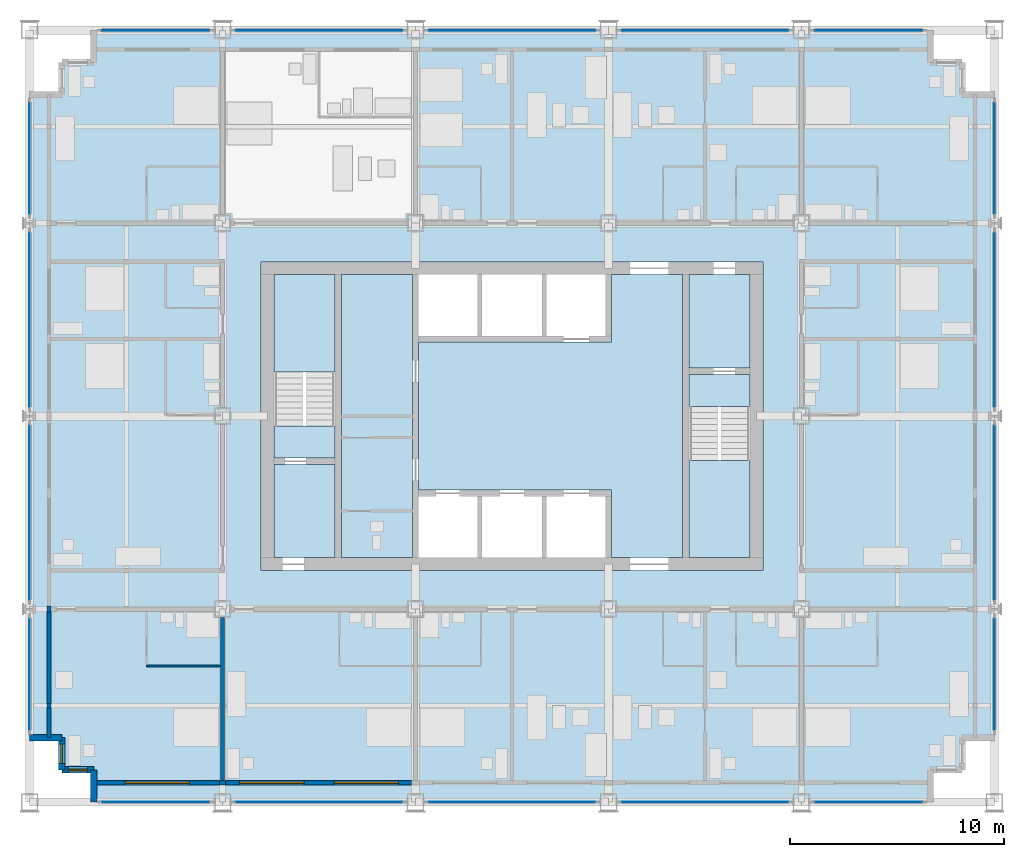
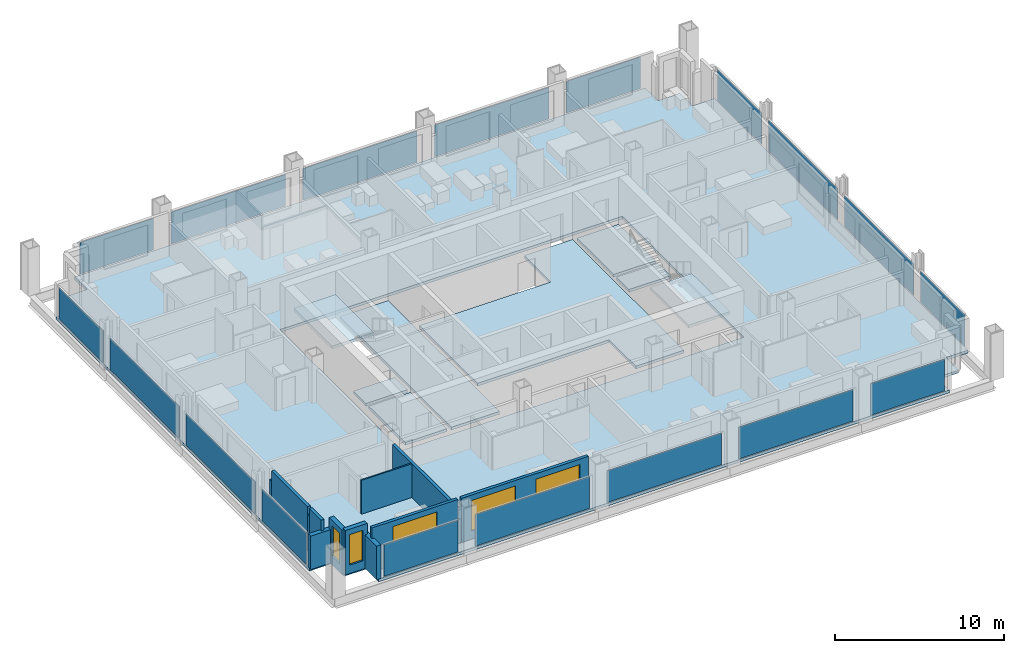
# One storey, part 8 of 16: 18 plates, 13 walls, 9 slabs, 5 windows, 5 openings, 20 elements without a shape of their own.
"""IFC4 building model written with IfcOpenShell, lengths in metres."""

import ifcopenshell
import ifcopenshell.guid

model = None  # the IFC model being written
_history = None  # IfcOwnerHistory: only IFC2X3 demands one
_inside = {}  # id of a spatial element -> (the spatial element, [elements in it])
_under = {}  # id of a project, library or spatial element -> (it, [spatial elements below it])
_declared = {}  # id of a project -> (the project, [libraries it declares])
_typed = {}  # id of a type object -> (the type object, [elements of that type])
_made_of = {}  # id of a material, layer set ... -> (it, [elements and type objects made of it])


def new_model(schema):
    """Start an empty IFC model of exactly this schema.

    Asked for "IFC4X3", IfcOpenShell would pick the latest addendum, in which some entities
    have other attributes; the version numbers below select the first issue.
    IFC2X3 requires an IfcOwnerHistory on every rooted entity: one is made here for all.
    """
    global model, _history
    if schema == "IFC4X3":
        model = ifcopenshell.file(schema_version=(4, 3, 0, 0))
    else:
        model = ifcopenshell.file(schema=schema)
    _inside.clear()
    _under.clear()
    _declared.clear()
    _typed.clear()
    _made_of.clear()
    _history = None
    if model.schema == "IFC2X3":
        org = make("IfcOrganization", Name="unknown")
        user = make(
            "IfcPersonAndOrganization",
            ThePerson=make("IfcPerson", FamilyName="unknown"),
            TheOrganization=org,
        )
        app = make(
            "IfcApplication",
            ApplicationDeveloper=org,
            Version="unknown",
            ApplicationFullName="unknown",
            ApplicationIdentifier="unknown",
        )
        _history = make(
            "IfcOwnerHistory",
            OwningUser=user,
            OwningApplication=app,
            ChangeAction="ADDED",
            CreationDate=0,
        )
    return model


def make(cls, **values):
    """One entity of the class cls with the attributes given. An attribute that is None is left unset."""
    return model.create_entity(
        cls, **{name: value for name, value in values.items() if value is not None}
    )


def rooted(cls, **values):
    """An entity with a GlobalId (a new one), such as an element, a storey or a relation."""
    return make(cls, GlobalId=ifcopenshell.guid.new(), OwnerHistory=_history, **values)


def si_unit(unit_type, name, prefix=None):
    """IfcSIUnit, for example si_unit("LENGTHUNIT", "METRE", prefix="MILLI")."""
    return make("IfcSIUnit", UnitType=unit_type, Prefix=prefix, Name=name)


def assignment(units):
    """IfcUnitAssignment: the units of a project."""
    return None if units is None else make("IfcUnitAssignment", Units=units)


def point(xyz):
    """IfcCartesianPoint."""
    return None if xyz is None else make("IfcCartesianPoint", Coordinates=xyz)


def direction(xyz):
    """IfcDirection."""
    return None if xyz is None else make("IfcDirection", DirectionRatios=xyz)


def frame(location, z_axis=None, x_axis=None):
    """IfcAxis2Placement3D, a coordinate frame: its origin and axes. An axis left out is left unset."""
    return make(
        "IfcAxis2Placement3D",
        Location=point(location),
        Axis=direction(z_axis),
        RefDirection=direction(x_axis),
    )


def frame_2d(location, x_axis=None):
    """IfcAxis2Placement2D, a coordinate frame in the plane: its origin and x axis."""
    return make(
        "IfcAxis2Placement2D", Location=point(location), RefDirection=direction(x_axis)
    )


def origin():
    """The frame at (0, 0, 0) with its axes left unset."""
    return frame((0.0, 0.0, 0.0))


def origin_2d():
    """The frame at (0, 0) in the plane with its x axis left unset."""
    return frame_2d((0.0, 0.0))


def place(relative_to, where):
    """IfcLocalPlacement: puts the frame where relative to a parent placement (None: the world)."""
    return make(
        "IfcLocalPlacement", PlacementRelTo=relative_to, RelativePlacement=where
    )


def context(
    kind, dimensions, precision=None, world=None, true_north=None, identifier=None
):
    """IfcGeometricRepresentationContext, for example the 3D "Model" context."""
    return make(
        "IfcGeometricRepresentationContext",
        ContextIdentifier=identifier,
        ContextType=kind,
        CoordinateSpaceDimension=dimensions,
        Precision=precision,
        WorldCoordinateSystem=world,
        TrueNorth=true_north,
    )


def subcontext(parent, identifier, kind, view, scale=None):
    """IfcGeometricRepresentationSubContext, for example "Body" below "Model"."""
    return make(
        "IfcGeometricRepresentationSubContext",
        ContextIdentifier=identifier,
        ContextType=kind,
        ParentContext=parent,
        TargetScale=scale,
        TargetView=view,
    )


def project(units=None, contexts=None):
    """IfcProject with its units and contexts."""
    return rooted(
        "IfcProject",
        Name="project",
        RepresentationContexts=contexts,
        UnitsInContext=assignment(units),
    )


def spatial(cls, under=None, at=None, **own):
    """A site, building, storey or space (cls), placed at a placement, below another one or the project."""
    s = rooted(cls, ObjectPlacement=at, **own)
    if under is not None:
        _under.setdefault(under.id(), (under, []))[1].append(s)
    return s


def polyline(points):
    """IfcPolyline through the points."""
    return make("IfcPolyline", Points=[point(p) for p in points])


def profile(cls, at=None, kind="AREA", **sizes):
    """A parametric profile (cls). Its sizes go by their IFC names, for example OverallWidth=200.0."""
    return make(cls, ProfileType=kind, Position=at, **sizes)


def rectangle(**sizes):
    """IfcRectangleProfileDef."""
    return profile("IfcRectangleProfileDef", **sizes)


def outline(outer, holes=None, kind="AREA"):
    """IfcArbitraryClosedProfileDef: a profile drawn as a closed curve; with holes, ...WithVoids."""
    if holes is None:
        return make("IfcArbitraryClosedProfileDef", ProfileType=kind, OuterCurve=outer)
    return make(
        "IfcArbitraryProfileDefWithVoids",
        ProfileType=kind,
        OuterCurve=outer,
        InnerCurves=holes,
    )


def extrude(swept, where, along, depth):
    """IfcExtrudedAreaSolid: the profile swept, set in the frame where, extruded along a direction by depth."""
    return make(
        "IfcExtrudedAreaSolid",
        SweptArea=swept,
        Position=where,
        ExtrudedDirection=direction(along),
        Depth=depth,
    )


def shape(context_of_items, identifier, shape_type, items):
    """IfcShapeRepresentation: the items that make up one representation, for example the "Body"."""
    return make(
        "IfcShapeRepresentation",
        ContextOfItems=context_of_items,
        RepresentationIdentifier=identifier,
        RepresentationType=shape_type,
        Items=items,
    )


def material(Name=None, Category=None):
    """IfcMaterial."""
    return make("IfcMaterial", Name=Name, Category=Category)


def layer(
    of_material, thickness, ventilated=None, Name=None, Category=None, Priority=None
):
    """IfcMaterialLayer: one layer of a wall or slab, of a material (None: an air gap)."""
    return make(
        "IfcMaterialLayer",
        Material=of_material,
        LayerThickness=thickness,
        IsVentilated=ventilated,
        Name=Name,
        Category=Category,
        Priority=Priority,
    )


def layer_set(layers, Name=None):
    """IfcMaterialLayerSet."""
    return make("IfcMaterialLayerSet", MaterialLayers=layers, LayerSetName=Name)


def made_of(thing, what):
    """Note that an element or type object is made of a material, layer set ...; save() writes the relation."""
    if what is not None:
        _made_of.setdefault(what.id(), (what, []))[1].append(thing)
    return thing


def type_object(cls, material=None, **own):
    """A type object (cls), such as IfcWallType, which elements share."""
    return made_of(rooted(cls, **own), material)


def element(
    cls,
    number,
    at=None,
    inside=None,
    cuts=None,
    type_object=None,
    material=None,
    context=None,
    identifier="Body",
    shape_type=None,
    held_by="IfcProductDefinitionShape",
    body=None,
    shapes=None,
    **own,
):
    """One element of the class cls, such as IfcWall. Its Tag is "e" and its number.

    at: its placement. inside: the storey or other place that contains it. cuts: it is an
    opening in that element (IfcRelVoidsElement). A single representation is given by context,
    identifier, shape_type and body (its items); several are given by shapes. held_by: the class
    of the entity that holds the representations. save() writes the other relations.
    """
    e = rooted(cls, Tag="e%d" % number, ObjectPlacement=at, **own)
    if body is not None:
        shapes = [shape(context, identifier, shape_type, body)]
    if shapes is not None:
        e.Representation = make(held_by, Representations=shapes)
    if inside is not None:
        _inside.setdefault(inside.id(), (inside, []))[1].append(e)
    if cuts is not None:
        rooted(
            "IfcRelVoidsElement", RelatingBuildingElement=cuts, RelatedOpeningElement=e
        )
    if type_object is not None:
        _typed.setdefault(type_object.id(), (type_object, []))[1].append(e)
    return made_of(e, material)


def fill(opening, filler):
    """IfcRelFillsElement: the door or window that sits in an opening."""
    return rooted(
        "IfcRelFillsElement",
        RelatingOpeningElement=opening,
        RelatedBuildingElement=filler,
    )


def aggregate(whole, parts):
    """IfcRelAggregates: a whole, such as a stair, and the parts it consists of."""
    return rooted("IfcRelAggregates", RelatingObject=whole, RelatedObjects=parts)


def save(model, path):
    """Write the relations noted so far, then the file.

    IfcRelAggregates (storeys below a building ...), IfcRelContainedInSpatialStructure (elements
    in a storey), IfcRelDefinesByType, IfcRelAssociatesMaterial and IfcRelDeclares: one each for
    every whole, place, type object, material and project.
    """
    for whole, parts in _under.values():
        aggregate(whole, parts)
    for where, things in _inside.values():
        rooted(
            "IfcRelContainedInSpatialStructure",
            RelatedElements=things,
            RelatingStructure=where,
        )
    for kind, things in _typed.values():
        rooted("IfcRelDefinesByType", RelatedObjects=things, RelatingType=kind)
    for what, things in _made_of.values():
        rooted("IfcRelAssociatesMaterial", RelatedObjects=things, RelatingMaterial=what)
    for by, libraries in _declared.values():
        rooted("IfcRelDeclares", RelatingContext=by, RelatedDefinitions=libraries)
    model.write(path)


model = new_model("IFC4")

# Units and contexts
model_context = context("Model", 3, precision=1e-05, world=origin(), true_north=direction((0.0, 1.0)))
body_context = subcontext(model_context, "Body", "Model", "MODEL_VIEW")
ifc_project = project(units=[si_unit("LENGTHUNIT", "METRE"), si_unit("AREAUNIT", "SQUARE_METRE"), si_unit("VOLUMEUNIT", "CUBIC_METRE"), si_unit("PLANEANGLEUNIT", "RADIAN"), si_unit("MASSUNIT", "GRAM", prefix="KILO")], contexts=[model_context])

# Site, building, storey
site_placement = place(None, origin())
site = spatial("IfcSite", under=ifc_project, at=site_placement, CompositionType="ELEMENT")
building_placement = place(site_placement, origin())
building = spatial("IfcBuilding", under=site, at=building_placement, Name="Loomwork Tower", CompositionType="ELEMENT")
storey_placement = place(building_placement, frame((0.0, 0.0, 148.60009765625)))
storey = spatial("IfcBuildingStorey", under=building, at=storey_placement, Name="L40", CompositionType="ELEMENT", Elevation=148.60009765625)

# Slabs
ifc_material_1 = material(Name="Concrete 5000 psi (34 MPa) on composite metal deck", Category="concrete")
ifc_layer_1 = layer(ifc_material_1, 0.199951171875)
ifc_layer_set_1 = layer_set([ifc_layer_1], Name="Floor slab 200")
slab_type_1 = type_object("IfcSlabType", Name="Floor slab 200", PredefinedType="FLOOR", material=ifc_layer_set_1)
slab_1_placement = place(storey_placement, frame((0.0, 0.0, -0.2001953125)))
element("IfcSlab", 1, at=slab_1_placement, inside=storey, type_object=slab_type_1, Name="Floor slab L40", PredefinedType="FLOOR", context=body_context, shape_type="SweptSolid", body=[
    extrude(outline(polyline([(3.0, 1.5), (1.5, 1.5), (1.5, 3.0), (0.0, 3.0), (0.0, 33.0), (1.5, 33.0), (1.5, 34.5), (3.0, 34.5), (3.0, 36.0), (42.0, 36.0), (42.0, 34.5), (43.5, 34.5), (43.5, 33.0), (45.0, 33.0), (45.0, 3.0), (43.5, 3.0), (43.5, 1.5), (42.0, 1.5), (42.0, 0.0), (3.0, 0.0), (3.0, 1.5)]), holes=[polyline([(10.800048828125, 11.39990234375), (10.800048828125, 11.39990234375), (10.800048828125, 10.800048828125), (34.199951171875, 10.800048828125), (34.199951171875, 11.39990234375), (34.199951171875, 11.39990234375), (34.199951171875, 24.60009765625), (34.199951171875, 25.199951171875), (10.800048828125, 25.199951171875), (10.800048828125, 24.60009765625), (10.800048828125, 11.39990234375)])]), origin(), (0.0, 0.0, 1.0), 0.2001953125),
])
slab_2_placement = place(storey_placement, frame((0.0, 0.0, -0.2001953125)))
element("IfcSlab", 2, at=slab_2_placement, inside=storey, type_object=slab_type_1, Name="Floor slab L40", PredefinedType="FLOOR", context=body_context, shape_type="SweptSolid", body=[
    extrude(outline(polyline([(30.449951171875, 24.60009765625), (30.449951171875, 11.39990234375), (27.14990234375, 11.39990234375), (27.14990234375, 14.25), (27.14990234375, 14.550048828125), (18.14990234375, 14.550048828125), (18.14990234375, 21.449951171875), (27.14990234375, 21.449951171875), (27.14990234375, 21.75), (27.14990234375, 24.60009765625), (30.449951171875, 24.60009765625)])), origin(), (0.0, 0.0, 1.0), 0.2001953125),
])
slab_3_placement = place(storey_placement, frame((0.0, 0.0, -0.2001953125)))
element("IfcSlab", 3, at=slab_3_placement, inside=storey, type_object=slab_type_1, Name="Floor slab L40", PredefinedType="FLOOR", context=body_context, shape_type="SweptSolid", body=[
    extrude(outline(polyline([(14.550048828125, 11.39990234375), (14.550048828125, 24.60009765625), (17.85009765625, 24.60009765625), (17.85009765625, 11.39990234375), (14.550048828125, 11.39990234375)])), origin(), (0.0, 0.0, 1.0), 0.2001953125),
])
slab_4_placement = place(storey_placement, frame((0.0, 0.0, -0.2001953125)))
element("IfcSlab", 4, at=slab_4_placement, inside=storey, type_object=slab_type_1, Name="Floor slab L40", PredefinedType="FLOOR", context=body_context, shape_type="SweptSolid", body=[
    extrude(outline(polyline([(33.60009765625, 20.25), (30.75, 20.25), (30.75, 24.60009765625), (33.60009765625, 24.60009765625), (33.60009765625, 20.25)])), origin(), (0.0, 0.0, 1.0), 0.2001953125),
])
slab_5_placement = place(storey_placement, frame((0.0, 0.0, -0.2001953125)))
element("IfcSlab", 5, at=slab_5_placement, inside=storey, type_object=slab_type_1, Name="Floor slab L40", PredefinedType="FLOOR", context=body_context, shape_type="SweptSolid", body=[
    extrude(outline(polyline([(14.25, 15.75), (14.25, 11.39990234375), (11.39990234375, 11.39990234375), (11.39990234375, 15.75), (14.25, 15.75)])), origin(), (0.0, 0.0, 1.0), 0.2001953125),
])

# Curtain wall, plate
ifc_material_2 = material(Name="Aluminium curtain wall frame", Category="aluminium")
curtain_wall_type = type_object("IfcCurtainWallType", Name="Outer skin glazing hotel", PredefinedType="NOTDEFINED", material=ifc_material_2)
curtain_wall_1_placement = place(storey_placement, origin())
curtain_wall_1 = element("IfcCurtainWall", 6, at=curtain_wall_1_placement, inside=storey, type_object=curtain_wall_type, Name="Outer skin glazing hotel cw/S-0", PredefinedType="NOTDEFINED")
ifc_material_3 = material(Name="Clear laminated glass", Category="glass")
ifc_layer_2 = layer(ifc_material_3, 0.02392578125)
ifc_layer_set_2 = layer_set([ifc_layer_2], Name="Outer skin glazing hotel panel")
plate_type = type_object("IfcPlateType", Name="Outer skin glazing hotel panel", PredefinedType="CURTAIN_PANEL", material=ifc_layer_set_2)
plate_1_placement = place(storey_placement, frame((5.875, 0.0, 0.06494140625), z_axis=(0.0, 0.0, 1.0), x_axis=(1.0, 0.0, 0.0)))
plate_1 = element("IfcPlate", 7, at=plate_1_placement, type_object=plate_type, Name="CW1 panel 1.1", PredefinedType="CURTAIN_PANEL", context=body_context, shape_type="SweptSolid", body=[
    extrude(rectangle(XDim=5.050048828125, YDim=0.02392578125, at=origin_2d()), origin(), (0.0, 0.0, 1.0), 2.290283203125),
])
aggregate(curtain_wall_1, [plate_1])

curtain_wall_2_placement = place(storey_placement, origin())
curtain_wall_2 = element("IfcCurtainWall", 8, at=curtain_wall_2_placement, inside=storey, type_object=curtain_wall_type, Name="Outer skin glazing hotel cw/S-9", PredefinedType="NOTDEFINED")
plate_2_placement = place(storey_placement, frame((13.5, 0.0, 0.06494140625), z_axis=(0.0, 0.0, 1.0), x_axis=(1.0, 0.0, 0.0)))
plate_2 = element("IfcPlate", 9, at=plate_2_placement, type_object=plate_type, Name="CW1 panel 1.1", PredefinedType="CURTAIN_PANEL", context=body_context, shape_type="SweptSolid", body=[
    extrude(rectangle(XDim=7.800048828125, YDim=0.02392578125, at=origin_2d()), origin(), (0.0, 0.0, 1.0), 2.290283203125),
])
aggregate(curtain_wall_2, [plate_2])

curtain_wall_3_placement = place(storey_placement, origin())
curtain_wall_3 = element("IfcCurtainWall", 10, at=curtain_wall_3_placement, inside=storey, type_object=curtain_wall_type, Name="Outer skin glazing hotel cw/S-18", PredefinedType="NOTDEFINED")
plate_3_placement = place(storey_placement, frame((22.5, 0.0, 0.06494140625), z_axis=(0.0, 0.0, 1.0), x_axis=(1.0, 0.0, 0.0)))
plate_3 = element("IfcPlate", 11, at=plate_3_placement, type_object=plate_type, Name="CW1 panel 1.1", PredefinedType="CURTAIN_PANEL", context=body_context, shape_type="SweptSolid", body=[
    extrude(rectangle(XDim=7.800048828125, YDim=0.02392578125, at=origin_2d()), origin(), (0.0, 0.0, 1.0), 2.290283203125),
])
aggregate(curtain_wall_3, [plate_3])

curtain_wall_4_placement = place(storey_placement, origin())
curtain_wall_4 = element("IfcCurtainWall", 12, at=curtain_wall_4_placement, inside=storey, type_object=curtain_wall_type, Name="Outer skin glazing hotel cw/S-27", PredefinedType="NOTDEFINED")
plate_4_placement = place(storey_placement, frame((31.5, 0.0, 0.06494140625), z_axis=(0.0, 0.0, 1.0), x_axis=(1.0, 0.0, 0.0)))
plate_4 = element("IfcPlate", 13, at=plate_4_placement, type_object=plate_type, Name="CW1 panel 1.1", PredefinedType="CURTAIN_PANEL", context=body_context, shape_type="SweptSolid", body=[
    extrude(rectangle(XDim=7.800048828125, YDim=0.02392578125, at=origin_2d()), origin(), (0.0, 0.0, 1.0), 2.290283203125),
])
aggregate(curtain_wall_4, [plate_4])

curtain_wall_5_placement = place(storey_placement, origin())
curtain_wall_5 = element("IfcCurtainWall", 14, at=curtain_wall_5_placement, inside=storey, type_object=curtain_wall_type, Name="Outer skin glazing hotel cw/S-36", PredefinedType="NOTDEFINED")
plate_5_placement = place(storey_placement, frame((39.125, 0.0, 0.06494140625), z_axis=(0.0, 0.0, 1.0), x_axis=(1.0, 0.0, 0.0)))
plate_5 = element("IfcPlate", 15, at=plate_5_placement, type_object=plate_type, Name="CW1 panel 1.1", PredefinedType="CURTAIN_PANEL", context=body_context, shape_type="SweptSolid", body=[
    extrude(rectangle(XDim=5.050048828125, YDim=0.02392578125, at=origin_2d()), origin(), (0.0, 0.0, 1.0), 2.290283203125),
])
aggregate(curtain_wall_5, [plate_5])

curtain_wall_6_placement = place(storey_placement, origin())
curtain_wall_6 = element("IfcCurtainWall", 16, at=curtain_wall_6_placement, inside=storey, type_object=curtain_wall_type, Name="Outer skin glazing hotel cw/N-0", PredefinedType="NOTDEFINED")
plate_6_placement = place(storey_placement, frame((5.875, 36.0, 0.06494140625), z_axis=(0.0, 0.0, 1.0), x_axis=(-1.0, 0.0, 0.0)))
plate_6 = element("IfcPlate", 17, at=plate_6_placement, type_object=plate_type, Name="CW1 panel 1.1", PredefinedType="CURTAIN_PANEL", context=body_context, shape_type="SweptSolid", body=[
    extrude(rectangle(XDim=5.050048828125, YDim=0.02392578125, at=origin_2d()), origin(), (0.0, 0.0, 1.0), 2.290283203125),
])
aggregate(curtain_wall_6, [plate_6])

curtain_wall_7_placement = place(storey_placement, origin())
curtain_wall_7 = element("IfcCurtainWall", 18, at=curtain_wall_7_placement, inside=storey, type_object=curtain_wall_type, Name="Outer skin glazing hotel cw/N-9", PredefinedType="NOTDEFINED")
plate_7_placement = place(storey_placement, frame((13.5, 36.0, 0.06494140625), z_axis=(0.0, 0.0, 1.0), x_axis=(-1.0, 0.0, 0.0)))
plate_7 = element("IfcPlate", 19, at=plate_7_placement, type_object=plate_type, Name="CW1 panel 1.1", PredefinedType="CURTAIN_PANEL", context=body_context, shape_type="SweptSolid", body=[
    extrude(rectangle(XDim=7.800048828125, YDim=0.02392578125, at=origin_2d()), origin(), (0.0, 0.0, 1.0), 2.290283203125),
])
aggregate(curtain_wall_7, [plate_7])

curtain_wall_8_placement = place(storey_placement, origin())
curtain_wall_8 = element("IfcCurtainWall", 20, at=curtain_wall_8_placement, inside=storey, type_object=curtain_wall_type, Name="Outer skin glazing hotel cw/N-18", PredefinedType="NOTDEFINED")
plate_8_placement = place(storey_placement, frame((22.5, 36.0, 0.06494140625), z_axis=(0.0, 0.0, 1.0), x_axis=(-1.0, 0.0, 0.0)))
plate_8 = element("IfcPlate", 21, at=plate_8_placement, type_object=plate_type, Name="CW1 panel 1.1", PredefinedType="CURTAIN_PANEL", context=body_context, shape_type="SweptSolid", body=[
    extrude(rectangle(XDim=7.800048828125, YDim=0.02392578125, at=origin_2d()), origin(), (0.0, 0.0, 1.0), 2.290283203125),
])
aggregate(curtain_wall_8, [plate_8])

curtain_wall_9_placement = place(storey_placement, origin())
curtain_wall_9 = element("IfcCurtainWall", 22, at=curtain_wall_9_placement, inside=storey, type_object=curtain_wall_type, Name="Outer skin glazing hotel cw/N-27", PredefinedType="NOTDEFINED")
plate_9_placement = place(storey_placement, frame((31.5, 36.0, 0.06494140625), z_axis=(0.0, 0.0, 1.0), x_axis=(-1.0, 0.0, 0.0)))
plate_9 = element("IfcPlate", 23, at=plate_9_placement, type_object=plate_type, Name="CW1 panel 1.1", PredefinedType="CURTAIN_PANEL", context=body_context, shape_type="SweptSolid", body=[
    extrude(rectangle(XDim=7.800048828125, YDim=0.02392578125, at=origin_2d()), origin(), (0.0, 0.0, 1.0), 2.290283203125),
])
aggregate(curtain_wall_9, [plate_9])

curtain_wall_10_placement = place(storey_placement, origin())
curtain_wall_10 = element("IfcCurtainWall", 24, at=curtain_wall_10_placement, inside=storey, type_object=curtain_wall_type, Name="Outer skin glazing hotel cw/N-36", PredefinedType="NOTDEFINED")
plate_10_placement = place(storey_placement, frame((39.125, 36.0, 0.06494140625), z_axis=(0.0, 0.0, 1.0), x_axis=(-1.0, 0.0, 0.0)))
plate_10 = element("IfcPlate", 25, at=plate_10_placement, type_object=plate_type, Name="CW1 panel 1.1", PredefinedType="CURTAIN_PANEL", context=body_context, shape_type="SweptSolid", body=[
    extrude(rectangle(XDim=5.050048828125, YDim=0.02392578125, at=origin_2d()), origin(), (0.0, 0.0, 1.0), 2.290283203125),
])
aggregate(curtain_wall_10, [plate_10])

curtain_wall_11_placement = place(storey_placement, origin())
curtain_wall_11 = element("IfcCurtainWall", 26, at=curtain_wall_11_placement, inside=storey, type_object=curtain_wall_type, Name="Outer skin glazing hotel cw/W-0", PredefinedType="NOTDEFINED")
plate_11_placement = place(storey_placement, frame((0.0, 5.964599609375, 0.06494140625), z_axis=(0.0, 0.0, 1.0), x_axis=(0.0, -1.0, 0.0)))
plate_11 = element("IfcPlate", 27, at=plate_11_placement, type_object=plate_type, Name="CW1 panel 1.1", PredefinedType="CURTAIN_PANEL", context=body_context, shape_type="SweptSolid", body=[
    extrude(rectangle(XDim=5.22900390625, YDim=0.02392578125, at=origin_2d()), origin(), (0.0, 0.0, 1.0), 2.290283203125),
])
aggregate(curtain_wall_11, [plate_11])

curtain_wall_12_placement = place(storey_placement, origin())
curtain_wall_12 = element("IfcCurtainWall", 28, at=curtain_wall_12_placement, inside=storey, type_object=curtain_wall_type, Name="Outer skin glazing hotel cw/W-9", PredefinedType="NOTDEFINED")
plate_12_placement = place(storey_placement, frame((0.0, 13.5, 0.06494140625), z_axis=(0.0, 0.0, 1.0), x_axis=(0.0, -1.0, 0.0)))
plate_12 = element("IfcPlate", 29, at=plate_12_placement, type_object=plate_type, Name="CW1 panel 1.1", PredefinedType="CURTAIN_PANEL", context=body_context, shape_type="SweptSolid", body=[
    extrude(rectangle(XDim=8.157958984375, YDim=0.02392578125, at=origin_2d()), origin(), (0.0, 0.0, 1.0), 2.290283203125),
])
aggregate(curtain_wall_12, [plate_12])

curtain_wall_13_placement = place(storey_placement, origin())
curtain_wall_13 = element("IfcCurtainWall", 30, at=curtain_wall_13_placement, inside=storey, type_object=curtain_wall_type, Name="Outer skin glazing hotel cw/W-18", PredefinedType="NOTDEFINED")
plate_13_placement = place(storey_placement, frame((0.0, 22.5, 0.06494140625), z_axis=(0.0, 0.0, 1.0), x_axis=(0.0, -1.0, 0.0)))
plate_13 = element("IfcPlate", 31, at=plate_13_placement, type_object=plate_type, Name="CW1 panel 1.1", PredefinedType="CURTAIN_PANEL", context=body_context, shape_type="SweptSolid", body=[
    extrude(rectangle(XDim=8.157958984375, YDim=0.02392578125, at=origin_2d()), origin(), (0.0, 0.0, 1.0), 2.290283203125),
])
aggregate(curtain_wall_13, [plate_13])

curtain_wall_14_placement = place(storey_placement, origin())
curtain_wall_14 = element("IfcCurtainWall", 32, at=curtain_wall_14_placement, inside=storey, type_object=curtain_wall_type, Name="Outer skin glazing hotel cw/W-27", PredefinedType="NOTDEFINED")
plate_14_placement = place(storey_placement, frame((0.0, 30.035400390625, 0.06494140625), z_axis=(0.0, 0.0, 1.0), x_axis=(0.0, -1.0, 0.0)))
plate_14 = element("IfcPlate", 33, at=plate_14_placement, type_object=plate_type, Name="CW1 panel 1.1", PredefinedType="CURTAIN_PANEL", context=body_context, shape_type="SweptSolid", body=[
    extrude(rectangle(XDim=5.22900390625, YDim=0.02392578125, at=origin_2d()), origin(), (0.0, 0.0, 1.0), 2.290283203125),
])
aggregate(curtain_wall_14, [plate_14])

curtain_wall_15_placement = place(storey_placement, origin())
curtain_wall_15 = element("IfcCurtainWall", 34, at=curtain_wall_15_placement, inside=storey, type_object=curtain_wall_type, Name="Outer skin glazing hotel cw/E-0", PredefinedType="NOTDEFINED")
plate_15_placement = place(storey_placement, frame((45.0, 5.964599609375, 0.06494140625), z_axis=(0.0, 0.0, 1.0), x_axis=(0.0, 1.0, 0.0)))
plate_15 = element("IfcPlate", 35, at=plate_15_placement, type_object=plate_type, Name="CW1 panel 1.1", PredefinedType="CURTAIN_PANEL", context=body_context, shape_type="SweptSolid", body=[
    extrude(rectangle(XDim=5.22900390625, YDim=0.02392578125, at=origin_2d()), origin(), (0.0, 0.0, 1.0), 2.290283203125),
])
aggregate(curtain_wall_15, [plate_15])

curtain_wall_16_placement = place(storey_placement, origin())
curtain_wall_16 = element("IfcCurtainWall", 36, at=curtain_wall_16_placement, inside=storey, type_object=curtain_wall_type, Name="Outer skin glazing hotel cw/E-9", PredefinedType="NOTDEFINED")
plate_16_placement = place(storey_placement, frame((45.0, 13.5, 0.06494140625), z_axis=(0.0, 0.0, 1.0), x_axis=(0.0, 1.0, 0.0)))
plate_16 = element("IfcPlate", 37, at=plate_16_placement, type_object=plate_type, Name="CW1 panel 1.1", PredefinedType="CURTAIN_PANEL", context=body_context, shape_type="SweptSolid", body=[
    extrude(rectangle(XDim=8.157958984375, YDim=0.02392578125, at=origin_2d()), origin(), (0.0, 0.0, 1.0), 2.290283203125),
])
aggregate(curtain_wall_16, [plate_16])

curtain_wall_17_placement = place(storey_placement, origin())
curtain_wall_17 = element("IfcCurtainWall", 38, at=curtain_wall_17_placement, inside=storey, type_object=curtain_wall_type, Name="Outer skin glazing hotel cw/E-18", PredefinedType="NOTDEFINED")
plate_17_placement = place(storey_placement, frame((45.0, 22.5, 0.06494140625), z_axis=(0.0, 0.0, 1.0), x_axis=(0.0, 1.0, 0.0)))
plate_17 = element("IfcPlate", 39, at=plate_17_placement, type_object=plate_type, Name="CW1 panel 1.1", PredefinedType="CURTAIN_PANEL", context=body_context, shape_type="SweptSolid", body=[
    extrude(rectangle(XDim=8.157958984375, YDim=0.02392578125, at=origin_2d()), origin(), (0.0, 0.0, 1.0), 2.290283203125),
])
aggregate(curtain_wall_17, [plate_17])

curtain_wall_18_placement = place(storey_placement, origin())
curtain_wall_18 = element("IfcCurtainWall", 40, at=curtain_wall_18_placement, inside=storey, type_object=curtain_wall_type, Name="Outer skin glazing hotel cw/E-27", PredefinedType="NOTDEFINED")
plate_18_placement = place(storey_placement, frame((45.0, 30.035400390625, 0.06494140625), z_axis=(0.0, 0.0, 1.0), x_axis=(0.0, 1.0, 0.0)))
plate_18 = element("IfcPlate", 41, at=plate_18_placement, type_object=plate_type, Name="CW1 panel 1.1", PredefinedType="CURTAIN_PANEL", context=body_context, shape_type="SweptSolid", body=[
    extrude(rectangle(XDim=5.22900390625, YDim=0.02392578125, at=origin_2d()), origin(), (0.0, 0.0, 1.0), 2.290283203125),
])
aggregate(curtain_wall_18, [plate_18])

# Stair, slabs
ifc_material_4 = material(Name="Concrete 5000 psi (34 MPa) precast stair", Category="concrete")
stair_type_1 = type_object("IfcStairType", Name="Stair ST-A 20 risers 2850 wide", PredefinedType="HALF_TURN_STAIR", material=ifc_material_4)
stair_1_placement = place(storey_placement, origin())
stair_1 = element("IfcStair", 42, at=stair_1_placement, inside=storey, type_object=stair_type_1, Name="Stair A L40", PredefinedType="HALF_TURN_STAIR")
ifc_material_5 = material(Name="Concrete 5000 psi (34 MPa)", Category="concrete")
ifc_layer_3 = layer(ifc_material_5, 0.199951171875)
ifc_layer_set_3 = layer_set([ifc_layer_3], Name="Stair landing 200")
slab_type_2 = type_object("IfcSlabType", Name="Stair landing 200", PredefinedType="LANDING", material=ifc_layer_set_3)
slab_6_placement = place(storey_placement, frame((0.0, 0.0, -0.2001953125)))
slab_6 = element("IfcSlab", 43, at=slab_6_placement, type_object=slab_type_2, Name="ST-A landing 1", PredefinedType="LANDING", context=body_context, shape_type="SweptSolid", body=[
    extrude(outline(polyline([(11.39990234375, 16.050048828125), (14.25, 16.050048828125), (14.25, 17.550048828125), (11.39990234375, 17.550048828125), (11.39990234375, 16.050048828125)])), origin(), (0.0, 0.0, 1.0), 0.2001953125),
])
slab_7_placement = place(storey_placement, frame((0.0, 0.0, 1.5)))
slab_7 = element("IfcSlab", 44, at=slab_7_placement, type_object=slab_type_2, Name="ST-A landing 2", PredefinedType="LANDING", context=body_context, shape_type="SweptSolid", body=[
    extrude(outline(polyline([(11.39990234375, 20.070068359375), (14.25, 20.070068359375), (14.25, 24.60009765625), (11.39990234375, 24.60009765625), (11.39990234375, 20.070068359375)])), origin(), (0.0, 0.0, 1.0), 0.199951171875),
])
aggregate(stair_1, [slab_6, slab_7])

ifc_material_6 = material(Name="Concrete 5000 psi (34 MPa) precast stair", Category="concrete")
stair_type_2 = type_object("IfcStairType", Name="Stair ST-B 20 risers 2850 wide", PredefinedType="HALF_TURN_STAIR", material=ifc_material_6)
stair_2_placement = place(storey_placement, origin())
stair_2 = element("IfcStair", 45, at=stair_2_placement, inside=storey, type_object=stair_type_2, Name="Stair B L40", PredefinedType="HALF_TURN_STAIR")
slab_8_placement = place(storey_placement, frame((0.0, 0.0, -0.2001953125)))
slab_8 = element("IfcSlab", 46, at=slab_8_placement, type_object=slab_type_2, Name="ST-B landing 1", PredefinedType="LANDING", context=body_context, shape_type="SweptSolid", body=[
    extrude(outline(polyline([(30.75, 18.449951171875), (33.60009765625, 18.449951171875), (33.60009765625, 19.949951171875), (30.75, 19.949951171875), (30.75, 18.449951171875)])), origin(), (0.0, 0.0, 1.0), 0.2001953125),
])
slab_9_placement = place(storey_placement, frame((0.0, 0.0, 1.5)))
slab_9 = element("IfcSlab", 47, at=slab_9_placement, type_object=slab_type_2, Name="ST-B landing 2", PredefinedType="LANDING", context=body_context, shape_type="SweptSolid", body=[
    extrude(outline(polyline([(30.75, 11.39990234375), (33.60009765625, 11.39990234375), (33.60009765625, 15.929931640625), (30.75, 15.929931640625), (30.75, 11.39990234375)])), origin(), (0.0, 0.0, 1.0), 0.199951171875),
])
aggregate(stair_2, [slab_8, slab_9])

# Walls
ifc_material_7 = material(Name="Cement board on steel studs", Category="steel")
ifc_layer_4 = layer(ifc_material_7, 0.10009765625)
ifc_layer_set_4 = layer_set([ifc_layer_4], Name="En-suite partition 100")
wall_type_1 = type_object("IfcWallType", Name="En-suite partition 100", PredefinedType="PARTITIONING", material=ifc_layer_set_4)
wall_1_placement = place(storey_placement, frame((5.449951171875, 6.35009765625, 0.0), z_axis=(0.0, 0.0, 1.0), x_axis=(1.0, 0.0, 0.0)))
element("IfcWall", 48, at=wall_1_placement, inside=storey, type_object=wall_type_1, Name="En-suite wall L40 room 1", PredefinedType="PARTITIONING", context=body_context, shape_type="SweptSolid", body=[
    extrude(rectangle(XDim=3.449951171875, YDim=0.10009765625, at=frame_2d((1.72509765625, 0.0))), origin(), (0.0, 0.0, 1.0), 2.43798828125),
])
ifc_material_8 = material(Name="Gypsum board on steel studs, acoustic", Category="steel")
ifc_layer_5 = layer(ifc_material_8, 0.199951171875)
ifc_layer_set_5 = layer_set([ifc_layer_5], Name="Guest room party wall 200")
wall_type_2 = type_object("IfcWallType", Name="Guest room party wall 200", PredefinedType="PARTITIONING", material=ifc_layer_set_5)
wall_2_placement = place(storey_placement, frame((9.0, 8.60009765625, 0.0), z_axis=(0.0, 0.0, 1.0), x_axis=(0.0, -1.0, 0.0)))
element("IfcWall", 49, at=wall_2_placement, inside=storey, type_object=wall_type_2, Name="Guest room party wall S 9", PredefinedType="PARTITIONING", context=body_context, shape_type="SweptSolid", body=[
    extrude(rectangle(XDim=7.60009765625, YDim=0.199951171875, at=frame_2d((3.800048828125, 0.0))), origin(), (0.0, 0.0, 1.0), 2.43798828125),
])

# Wall, opening, window
ifc_material_9 = material(Name="Insulated steel stud wall with gypsum lining", Category="steel")
ifc_layer_6 = layer(ifc_material_9, 0.199951171875)
ifc_layer_set_6 = layer_set([ifc_layer_6], Name="Inner skin wall 200")
wall_type_3 = type_object("IfcWallType", Name="Inner skin wall 200", PredefinedType="SOLIDWALL", material=ifc_layer_set_6)
wall_3_placement = place(storey_placement, frame((3.0, 0.89990234375, 0.0), z_axis=(0.0, 0.0, 1.0), x_axis=(1.0, 0.0, 0.0)))
wall_3 = element("IfcWall", 50, at=wall_3_placement, inside=storey, type_object=wall_type_3, Name="Inner skin wall S", PredefinedType="SOLIDWALL", context=body_context, shape_type="SweptSolid", body=[
    extrude(rectangle(XDim=5.86474609375, YDim=0.199951171875, at=frame_2d((2.932373046875, 0.0))), origin(), (0.0, 0.0, 1.0), 3.199951171875),
])
opening_1_placement = place(wall_3_placement, frame((1.449951171875, 0.0, 0.60009765625)))
opening_1 = element("IfcOpeningElement", 51, at=opening_1_placement, cuts=wall_3, Name="Opening CH1", PredefinedType="OPENING", context=body_context, shape_type="SweptSolid", body=[
    extrude(rectangle(XDim=3.0, YDim=2.199951171875, at=frame_2d((1.5, 1.10009765625))), frame((0.0, 0.10986328125, 0.0), z_axis=(0.0, -1.0, 0.0), x_axis=(1.0, 0.0, 0.0)), (0.0, 0.0, 1.0), 0.219970703125),
])
ifc_material_10 = material(Name="Aluminium frame with clear insulated glass", Category="aluminium")
window_type_1 = type_object("IfcWindowType", Name="Chicago window 3000", PartitioningType="TRIPLE_PANEL_VERTICAL", PredefinedType="WINDOW", material=ifc_material_10)
window_1_placement = place(opening_1_placement, origin())
window_1 = element("IfcWindow", 52, at=window_1_placement, inside=storey, type_object=window_type_1, Name="Chicago window L40 bay 1", OverallHeight=2.199951171875, OverallWidth=3.0, PartitioningType="TRIPLE_PANEL_VERTICAL", PredefinedType="WINDOW", context=body_context, shape_type="SweptSolid", body=[
    extrude(rectangle(XDim=3.0, YDim=2.199951171875, at=frame_2d((1.5, 1.10009765625))), frame((0.0, 0.030029296875, 0.0), z_axis=(0.0, -1.0, 0.0), x_axis=(1.0, 0.0, 0.0)), (0.0, 0.0, 1.0), 0.06005859375),
])
fill(opening_1, window_1)

# Walls
wall_4_placement = place(storey_placement, frame((0.89990234375, 3.0, 0.0), z_axis=(0.0, 0.0, 1.0), x_axis=(0.0, 1.0, 0.0)))
element("IfcWall", 53, at=wall_4_placement, inside=storey, type_object=wall_type_3, Name="Inner skin wall W", PredefinedType="SOLIDWALL", context=body_context, shape_type="SweptSolid", body=[
    extrude(rectangle(XDim=1.392578125, YDim=0.199951171875, at=frame_2d((0.6962890625, 0.0))), origin(), (0.0, 0.0, 1.0), 3.199951171875),
])
wall_5_placement = place(storey_placement, frame((8.86474609375, 0.89990234375, 0.0), z_axis=(0.0, 0.0, 1.0), x_axis=(1.0, 0.0, 0.0)))
element("IfcWall", 54, at=wall_5_placement, inside=storey, type_object=wall_type_3, Name="Inner skin wall S bay 2", PredefinedType="SOLIDWALL", context=body_context, shape_type="SweptSolid", body=[
    extrude(rectangle(XDim=0.2705078125, YDim=0.199951171875, at=frame_2d((0.13525390625, 0.0))), origin(), (0.0, 0.0, 1.0), 2.43798828125),
])

# Wall, openings, windows
wall_6_placement = place(storey_placement, frame((9.13525390625, 0.89990234375, 0.0), z_axis=(0.0, 0.0, 1.0), x_axis=(1.0, 0.0, 0.0)))
wall_6 = element("IfcWall", 55, at=wall_6_placement, inside=storey, type_object=wall_type_3, Name="Inner skin wall S bay 3", PredefinedType="SOLIDWALL", context=body_context, shape_type="SweptSolid", body=[
    extrude(rectangle(XDim=8.6708984375, YDim=0.199951171875, at=frame_2d((4.33544921875, 0.0))), origin(), (0.0, 0.0, 1.0), 3.199951171875),
])
opening_2_placement = place(wall_6_placement, frame((0.664794921875, 0.0, 0.60009765625)))
opening_2 = element("IfcOpeningElement", 56, at=opening_2_placement, cuts=wall_6, Name="Opening CH1", PredefinedType="OPENING", context=body_context, shape_type="SweptSolid", body=[
    extrude(rectangle(XDim=3.0, YDim=2.199951171875, at=frame_2d((1.5, 1.10009765625))), frame((0.0, 0.10986328125, 0.0), z_axis=(0.0, -1.0, 0.0), x_axis=(1.0, 0.0, 0.0)), (0.0, 0.0, 1.0), 0.219970703125),
])
opening_3_placement = place(wall_6_placement, frame((5.064697265625, 0.0, 0.60009765625)))
opening_3 = element("IfcOpeningElement", 57, at=opening_3_placement, cuts=wall_6, Name="Opening CH1", PredefinedType="OPENING", context=body_context, shape_type="SweptSolid", body=[
    extrude(rectangle(XDim=3.0, YDim=2.199951171875, at=frame_2d((1.5, 1.10009765625))), frame((0.0, 0.10986328125, 0.0), z_axis=(0.0, -1.0, 0.0), x_axis=(1.0, 0.0, 0.0)), (0.0, 0.0, 1.0), 0.219970703125),
])
window_2_placement = place(opening_2_placement, origin())
window_2 = element("IfcWindow", 58, at=window_2_placement, inside=storey, type_object=window_type_1, Name="Chicago window L40 bay 2", OverallHeight=2.199951171875, OverallWidth=3.0, PartitioningType="TRIPLE_PANEL_VERTICAL", PredefinedType="WINDOW", context=body_context, shape_type="SweptSolid", body=[
    extrude(rectangle(XDim=3.0, YDim=2.199951171875, at=frame_2d((1.5, 1.10009765625))), frame((0.0, 0.030029296875, 0.0), z_axis=(0.0, -1.0, 0.0), x_axis=(1.0, 0.0, 0.0)), (0.0, 0.0, 1.0), 0.06005859375),
])
fill(opening_2, window_2)
window_3_placement = place(opening_3_placement, origin())
window_3 = element("IfcWindow", 59, at=window_3_placement, inside=storey, type_object=window_type_1, Name="Chicago window L40 bay 2", OverallHeight=2.199951171875, OverallWidth=3.0, PartitioningType="TRIPLE_PANEL_VERTICAL", PredefinedType="WINDOW", context=body_context, shape_type="SweptSolid", body=[
    extrude(rectangle(XDim=3.0, YDim=2.199951171875, at=frame_2d((1.5, 1.10009765625))), frame((0.0, 0.030029296875, 0.0), z_axis=(0.0, -1.0, 0.0), x_axis=(1.0, 0.0, 0.0)), (0.0, 0.0, 1.0), 0.06005859375),
])
fill(opening_3, window_3)

# Walls
wall_7_placement = place(storey_placement, frame((0.89990234375, 4.392578125, 0.0), z_axis=(0.0, 0.0, 1.0), x_axis=(0.0, 1.0, 0.0)))
element("IfcWall", 60, at=wall_7_placement, inside=storey, type_object=wall_type_3, Name="Inner skin wall W bay 2", PredefinedType="SOLIDWALL", context=body_context, shape_type="SweptSolid", body=[
    extrude(rectangle(XDim=0.21484375, YDim=0.199951171875, at=frame_2d((0.107421875, 0.0))), origin(), (0.0, 0.0, 1.0), 2.660888671875),
])
wall_8_placement = place(storey_placement, frame((0.89990234375, 4.607421875, 0.0), z_axis=(0.0, 0.0, 1.0), x_axis=(0.0, 1.0, 0.0)))
element("IfcWall", 61, at=wall_8_placement, inside=storey, type_object=wall_type_3, Name="Inner skin wall W bay 3", PredefinedType="SOLIDWALL", context=body_context, shape_type="SweptSolid", body=[
    extrude(rectangle(XDim=4.25732421875, YDim=0.199951171875, at=frame_2d((2.128662109375, 0.0))), origin(), (0.0, 0.0, 1.0), 3.199951171875),
])
wall_9_placement = place(storey_placement, frame((0.89990234375, 8.86474609375, 0.0), z_axis=(0.0, 0.0, 1.0), x_axis=(0.0, 1.0, 0.0)))
element("IfcWall", 62, at=wall_9_placement, inside=storey, type_object=wall_type_3, Name="Inner skin wall W bay 4", PredefinedType="SOLIDWALL", context=body_context, shape_type="SweptSolid", body=[
    extrude(rectangle(XDim=0.2705078125, YDim=0.199951171875, at=frame_2d((0.13525390625, 0.0))), origin(), (0.0, 0.0, 1.0), 2.43798828125),
])
ifc_material_11 = material(Name="Limestone on concrete masonry", Category="masonry")
ifc_layer_7 = layer(ifc_material_11, 0.300048828125)
ifc_layer_set_7 = layer_set([ifc_layer_7], Name="Limestone corner wall 300")
wall_type_4 = type_object("IfcWallType", Name="Limestone corner wall 300", PredefinedType="SOLIDWALL", material=ifc_layer_set_7)
wall_10_placement = place(storey_placement, frame((0.0, 3.0, 0.0), z_axis=(0.0, 0.0, 1.0), x_axis=(1.0, 0.0, 0.0)))
element("IfcWall", 63, at=wall_10_placement, inside=storey, type_object=wall_type_4, Name="Stone corner wall SW 1", PredefinedType="SOLIDWALL", context=body_context, shape_type="SweptSolid", body=[
    extrude(rectangle(XDim=1.5, YDim=0.300048828125, at=frame_2d((0.75, 0.0))), origin(), (0.0, 0.0, 1.0), 2.419921875),
])

# Wall, opening, window
wall_11_placement = place(storey_placement, frame((1.5, 3.0, 0.0), z_axis=(0.0, 0.0, 1.0), x_axis=(0.0, -1.0, 0.0)))
wall_11 = element("IfcWall", 64, at=wall_11_placement, inside=storey, type_object=wall_type_4, Name="Stone corner wall SW 2", PredefinedType="SOLIDWALL", context=body_context, shape_type="SweptSolid", body=[
    extrude(rectangle(XDim=1.5, YDim=0.300048828125, at=frame_2d((0.75, 0.0))), origin(), (0.0, 0.0, 1.0), 3.199951171875),
])
opening_4_placement = place(wall_11_placement, frame((0.300048828125, 0.0, 0.60009765625)))
opening_4 = element("IfcOpeningElement", 65, at=opening_4_placement, cuts=wall_11, Name="Opening CH2", PredefinedType="OPENING", context=body_context, shape_type="SweptSolid", body=[
    extrude(rectangle(XDim=0.89990234375, YDim=2.199951171875, at=frame_2d((0.449951171875, 1.10009765625))), frame((0.0, 0.159912109375, 0.0), z_axis=(0.0, -1.0, 0.0), x_axis=(1.0, 0.0, 0.0)), (0.0, 0.0, 1.0), 0.320068359375),
])
ifc_material_12 = material(Name="Aluminium frame with clear insulated glass", Category="aluminium")
window_type_2 = type_object("IfcWindowType", Name="Corner window 900", PartitioningType="SINGLE_PANEL", PredefinedType="WINDOW", material=ifc_material_12)
window_4_placement = place(opening_4_placement, origin())
window_4 = element("IfcWindow", 66, at=window_4_placement, inside=storey, type_object=window_type_2, Name="Corner window SW", OverallHeight=2.199951171875, OverallWidth=0.89990234375, PartitioningType="SINGLE_PANEL", PredefinedType="WINDOW", context=body_context, shape_type="SweptSolid", body=[
    extrude(rectangle(XDim=0.89990234375, YDim=2.199951171875, at=frame_2d((0.449951171875, 1.10009765625))), frame((0.0, 0.030029296875, 0.0), z_axis=(0.0, -1.0, 0.0), x_axis=(1.0, 0.0, 0.0)), (0.0, 0.0, 1.0), 0.06005859375),
])
fill(opening_4, window_4)

wall_12_placement = place(storey_placement, frame((1.5, 1.5, 0.0), z_axis=(0.0, 0.0, 1.0), x_axis=(1.0, 0.0, 0.0)))
wall_12 = element("IfcWall", 67, at=wall_12_placement, inside=storey, type_object=wall_type_4, Name="Stone corner wall SW 3", PredefinedType="SOLIDWALL", context=body_context, shape_type="SweptSolid", body=[
    extrude(rectangle(XDim=1.5, YDim=0.300048828125, at=frame_2d((0.75, 0.0))), origin(), (0.0, 0.0, 1.0), 3.199951171875),
])
opening_5_placement = place(wall_12_placement, frame((0.300048828125, 0.0, 0.60009765625)))
opening_5 = element("IfcOpeningElement", 68, at=opening_5_placement, cuts=wall_12, Name="Opening CH2", PredefinedType="OPENING", context=body_context, shape_type="SweptSolid", body=[
    extrude(rectangle(XDim=0.89990234375, YDim=2.199951171875, at=frame_2d((0.449951171875, 1.10009765625))), frame((0.0, 0.159912109375, 0.0), z_axis=(0.0, -1.0, 0.0), x_axis=(1.0, 0.0, 0.0)), (0.0, 0.0, 1.0), 0.320068359375),
])
window_5_placement = place(opening_5_placement, origin())
window_5 = element("IfcWindow", 69, at=window_5_placement, inside=storey, type_object=window_type_2, Name="Corner window SW", OverallHeight=2.199951171875, OverallWidth=0.89990234375, PartitioningType="SINGLE_PANEL", PredefinedType="WINDOW", context=body_context, shape_type="SweptSolid", body=[
    extrude(rectangle(XDim=0.89990234375, YDim=2.199951171875, at=frame_2d((0.449951171875, 1.10009765625))), frame((0.0, 0.030029296875, 0.0), z_axis=(0.0, -1.0, 0.0), x_axis=(1.0, 0.0, 0.0)), (0.0, 0.0, 1.0), 0.06005859375),
])
fill(opening_5, window_5)

# Wall
wall_13_placement = place(storey_placement, frame((3.0, 1.5, 0.0), z_axis=(0.0, 0.0, 1.0), x_axis=(0.0, -1.0, 0.0)))
element("IfcWall", 70, at=wall_13_placement, inside=storey, type_object=wall_type_4, Name="Stone corner wall SW 4", PredefinedType="SOLIDWALL", context=body_context, shape_type="SweptSolid", body=[
    extrude(rectangle(XDim=1.5, YDim=0.300048828125, at=frame_2d((0.75, 0.0))), origin(), (0.0, 0.0, 1.0), 2.419921875),
])

save(model, "model.ifc")
